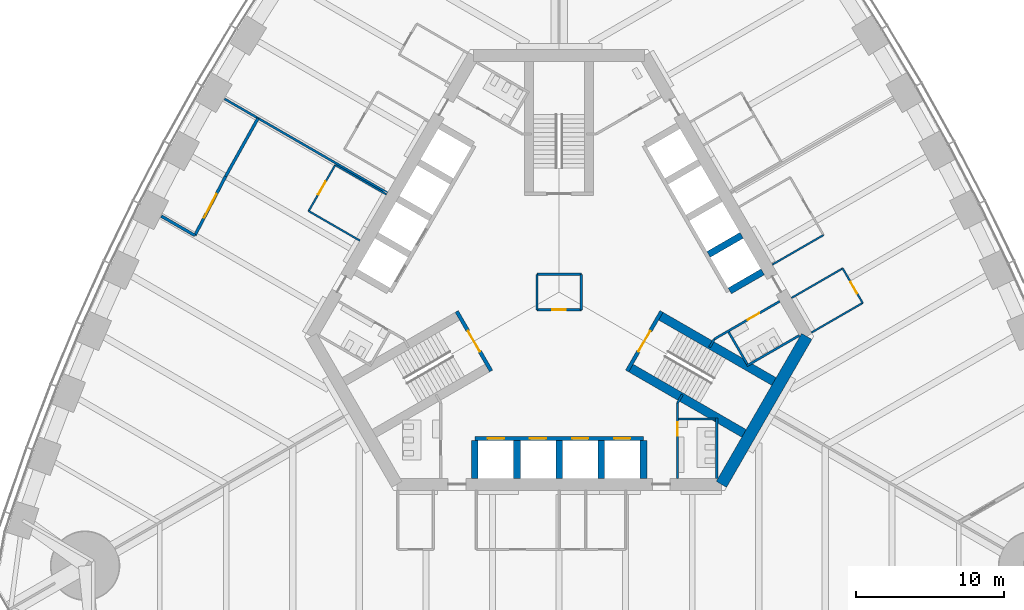
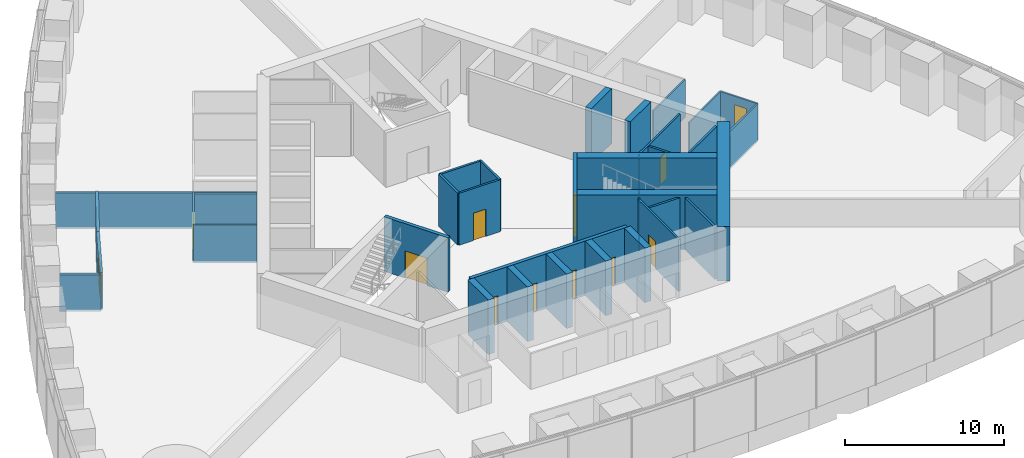
# One storey, part 11 of 18: 36 walls, 12 doors, 12 openings.
"""IFC4 building model written with IfcOpenShell, lengths in metres."""

from ifc_helpers import new_model, si_unit, direction, frame, frame_2d, origin, place, context, subcontext, project, spatial, rectangle, extrude, material, layer, layer_set, type_object, element, fill, save


model = new_model("IFC4")

# Units and contexts
model_context = context("Model", 3, precision=1e-05, world=origin(), true_north=direction((0.0, 1.0)))
body_context = subcontext(model_context, "Body", "Model", "MODEL_VIEW")
ifc_project = project(units=[si_unit("LENGTHUNIT", "METRE"), si_unit("AREAUNIT", "SQUARE_METRE"), si_unit("VOLUMEUNIT", "CUBIC_METRE"), si_unit("PLANEANGLEUNIT", "RADIAN"), si_unit("MASSUNIT", "GRAM", prefix="KILO")], contexts=[model_context])

# Site, building, storey
site_placement = place(None, origin())
site = spatial("IfcSite", under=ifc_project, at=site_placement, CompositionType="ELEMENT")
building_placement = place(site_placement, origin())
building = spatial("IfcBuilding", under=site, at=building_placement, Name="Trefoil Bronze Tower", CompositionType="ELEMENT")
storey_placement = place(building_placement, frame((0.0, 0.0, 71.10009765625)))
storey = spatial("IfcBuildingStorey", under=building, at=storey_placement, Name="L16", CompositionType="ELEMENT", Elevation=71.10009765625)

# Wall
ifc_material_1 = material(Name="Gypsum board on steel studs", Category="steel")
ifc_layer_1 = layer(ifc_material_1, 0.199951171875)
ifc_layer_set_1 = layer_set([ifc_layer_1], Name="Acoustic partition 200")
wall_type_1 = type_object("IfcWallType", Name="Acoustic partition 200", PredefinedType="PARTITIONING", material=ifc_layer_set_1)
wall_1_placement = place(storey_placement, frame((-20.3505859375, 11.749267578125, 0.0), z_axis=(0.0, 0.0, 1.0), x_axis=(-0.487373854787, -0.873193406795, 0.0)))
element("IfcWall", 1, at=wall_1_placement, inside=storey, type_object=wall_type_1, Name="Partition F3 L16", PredefinedType="PARTITIONING", context=body_context, shape_type="SweptSolid", body=[
    extrude(rectangle(XDim=4.500244140625, YDim=0.199951171875, at=frame_2d((2.25, 0.0))), origin(), (0.0, 0.0, 1.0), 2.89990234375),
])

# Wall, opening, door
wall_2_placement = place(storey_placement, frame((-22.5439453125, 7.819580078125, 0.0), z_axis=(0.0, 0.0, 1.0), x_axis=(-0.461810056307, -0.886978845235, 0.0)))
wall_2 = element("IfcWall", 2, at=wall_2_placement, inside=storey, type_object=wall_type_1, Name="Partition F3 L16", PredefinedType="PARTITIONING", context=body_context, shape_type="SweptSolid", body=[
    extrude(rectangle(XDim=4.504150390625, YDim=0.199951171875, at=frame_2d((2.251953125, 0.0))), origin(), (0.0, 0.0, 1.0), 2.89990234375),
])
opening_1_placement = place(wall_2_placement, frame((1.35009765625, 0.0, 0.14990234375)))
opening_1 = element("IfcOpeningElement", 3, at=opening_1_placement, cuts=wall_2, Name="Opening D10", PredefinedType="OPENING", context=body_context, shape_type="SweptSolid", body=[
    extrude(rectangle(XDim=1.800048828125, YDim=2.10009765625, at=frame_2d((0.89990234375, 1.050048828125))), frame((0.0, 0.10986328125, 0.0), z_axis=(0.0, -1.0, 0.0), x_axis=(1.0, 0.0, 0.0)), (0.0, 0.0, 1.0), 0.219970703125),
])
ifc_material_2 = material(Name="Timber door", Category="wood")
door_type_1 = type_object("IfcDoorType", Name="Double door 1800", OperationType="DOUBLE_DOOR_SINGLE_SWING", PredefinedType="DOOR", material=ifc_material_2)
door_1_placement = place(opening_1_placement, frame((1.800048828125, 0.0, 0.0), z_axis=(0.0, 0.0, 1.0), x_axis=(-1.0, 0.0, 0.0)))
door_1 = element("IfcDoor", 4, at=door_1_placement, inside=storey, type_object=door_type_1, Name="Training room door F3 L16", OperationType="DOUBLE_DOOR_SINGLE_SWING", OverallHeight=2.10009765625, OverallWidth=1.800048828125, PredefinedType="DOOR", context=body_context, shape_type="SweptSolid", body=[
    extrude(rectangle(XDim=1.800048828125, YDim=2.10009765625, at=frame_2d((0.89990234375, 1.050048828125))), frame((0.0, 0.02490234375, 0.0), z_axis=(0.0, -1.0, 0.0), x_axis=(1.0, 0.0, 0.0)), (0.0, 0.0, 1.0), 0.050048828125),
])
fill(opening_1, door_1)

# Walls
wall_3_placement = place(storey_placement, frame((-24.6240234375, 3.824462890625, 0.0), z_axis=(0.0, 0.0, 1.0), x_axis=(-0.866053563643, 0.499951222523, 0.0)))
element("IfcWall", 5, at=wall_3_placement, inside=storey, type_object=wall_type_1, Name="Partition F3 L16", PredefinedType="PARTITIONING", context=body_context, shape_type="SweptSolid", body=[
    extrude(rectangle(XDim=2.617431640625, YDim=0.199951171875, at=frame_2d((1.30859375, 0.0))), origin(), (0.0, 0.0, 1.0), 2.7998046875),
])
ifc_material_3 = material(Name="Concrete B80", Category="concrete")
ifc_layer_2 = layer(ifc_material_3, 0.800048828125)
ifc_layer_set_2 = layer_set([ifc_layer_2], Name="Core wall 800")
wall_type_2 = type_object("IfcWallType", Name="Core wall 800", PredefinedType="SHEAR", material=ifc_layer_set_2)
wall_4_placement = place(storey_placement, frame((10.9697265625, -13.0, 0.0), z_axis=(0.0, 0.0, 1.0), x_axis=(0.499995765644, 0.866027848477, 0.0)))
element("IfcWall", 6, at=wall_4_placement, inside=storey, type_object=wall_type_2, Name="Core short wall 1 L16", PredefinedType="SHEAR", context=body_context, shape_type="SweptSolid", body=[
    extrude(rectangle(XDim=11.546875, YDim=0.800048828125, at=frame_2d((5.7734375, 0.0))), origin(), (0.0, 0.0, 1.0), 4.199951171875),
])

# Wall, opening, door
ifc_material_4 = material(Name="Glazed partition", Category="glass")
ifc_layer_3 = layer(ifc_material_4, 0.1201171875)
ifc_layer_set_3 = layer_set([ifc_layer_3], Name="Glazed partition 120")
wall_type_3 = type_object("IfcWallType", Name="Glazed partition 120", PredefinedType="PARTITIONING", material=ifc_layer_set_3)
wall_5_placement = place(storey_placement, frame((20.518798828125, -0.73974609375, 0.0), z_axis=(0.0, 0.0, 1.0), x_axis=(-0.4999416173, 0.866059108428, 0.0)))
wall_5 = element("IfcWall", 7, at=wall_5_placement, inside=storey, type_object=wall_type_3, Name="Partition F2 L16", PredefinedType="PARTITIONING", context=body_context, shape_type="SweptSolid", body=[
    extrude(rectangle(XDim=2.699951171875, YDim=0.1201171875, at=frame_2d((1.35009765625, 0.0))), origin(), (0.0, 0.0, 1.0), 2.89990234375),
])
opening_2_placement = place(wall_5_placement, frame((0.75, 0.0, 0.14990234375)))
opening_2 = element("IfcOpeningElement", 8, at=opening_2_placement, cuts=wall_5, Name="Opening D8", PredefinedType="OPENING", context=body_context, shape_type="SweptSolid", body=[
    extrude(rectangle(XDim=0.89990234375, YDim=2.10009765625, at=frame_2d((0.449951171875, 1.050048828125))), frame((0.0, 0.070068359375, 0.0), z_axis=(0.0, -1.0, 0.0), x_axis=(1.0, 0.0, 0.0)), (0.0, 0.0, 1.0), 0.14013671875),
])
ifc_material_5 = material(Name="Timber door", Category="wood")
door_type_2 = type_object("IfcDoorType", Name="Office door 900", OperationType="SINGLE_SWING_LEFT", PredefinedType="DOOR", material=ifc_material_5)
door_2_placement = place(opening_2_placement, origin())
door_2 = element("IfcDoor", 9, at=door_2_placement, inside=storey, type_object=door_type_2, Name="Pantry door F2 L16", OperationType="SINGLE_SWING_LEFT", OverallHeight=2.10009765625, OverallWidth=0.89990234375, PredefinedType="DOOR", context=body_context, shape_type="SweptSolid", body=[
    extrude(rectangle(XDim=0.89990234375, YDim=2.10009765625, at=frame_2d((0.449951171875, 1.050048828125))), frame((0.0, 0.02490234375, 0.0), z_axis=(0.0, -1.0, 0.0), x_axis=(1.0, 0.0, 0.0)), (0.0, 0.0, 1.0), 0.050048828125),
])
fill(opening_2, door_2)

# Walls
for number, where, z_axis, x_axis, name in (
    (10, (17.0546875, -2.73974609375, 0.0), (0.0, 0.0, 1.0), (0.866026010844, 0.49999894854, 0.0), "Partition F2 L16"),
    (11, (14.40478515625, 1.850341796875, 0.0), (0.0, 0.0, 1.0), (0.866026010844, 0.49999894854, 0.0), "Partition F2 L16"),
    (12, (15.704833984375, -0.4013671875, 0.0), (0.0, 0.0, 1.0), (0.866026010844, 0.49999894854, 0.0), "Partition F2 L16"),
):
    element("IfcWall", number, at=place(storey_placement, frame(where, z_axis=z_axis, x_axis=x_axis)), inside=storey, type_object=wall_type_3, Name=name, PredefinedType="PARTITIONING", context=body_context, shape_type="SweptSolid", body=[
        extrude(rectangle(XDim=4.0, YDim=0.1201171875, at=frame_2d((2.0, 0.0))), origin(), (0.0, 0.0, 1.0), 2.89990234375),
    ])

# Wall, opening, door
wall_6_placement = place(storey_placement, frame((-15.13134765625, 8.591796875, 0.0), z_axis=(0.0, 0.0, 1.0), x_axis=(-0.500012057535, -0.866018442252, 0.0)))
wall_6 = element("IfcWall", 13, at=wall_6_placement, inside=storey, type_object=wall_type_3, Name="Partition F3 L16", PredefinedType="PARTITIONING", context=body_context, shape_type="SweptSolid", body=[
    extrude(rectangle(XDim=3.60009765625, YDim=0.1201171875, at=frame_2d((1.800048828125, 0.0))), origin(), (0.0, 0.0, 1.0), 2.89990234375),
])
opening_3_placement = place(wall_6_placement, frame((1.300048828125, 0.0, 0.14990234375)))
opening_3 = element("IfcOpeningElement", 14, at=opening_3_placement, cuts=wall_6, Name="Opening D9", PredefinedType="OPENING", context=body_context, shape_type="SweptSolid", body=[
    extrude(rectangle(XDim=1.0, YDim=2.10009765625, at=frame_2d((0.5, 1.050048828125))), frame((0.0, 0.070068359375, 0.0), z_axis=(0.0, -1.0, 0.0), x_axis=(1.0, 0.0, 0.0)), (0.0, 0.0, 1.0), 0.14013671875),
])
ifc_material_6 = material(Name="Glazed timber door", Category="wood")
door_type_3 = type_object("IfcDoorType", Name="Meeting room door 1000", OperationType="SINGLE_SWING_LEFT", PredefinedType="DOOR", material=ifc_material_6)
door_3_placement = place(opening_3_placement, origin())
door_3 = element("IfcDoor", 15, at=door_3_placement, inside=storey, type_object=door_type_3, Name="Meeting room door F3 L16", OperationType="SINGLE_SWING_LEFT", OverallHeight=2.10009765625, OverallWidth=1.0, PredefinedType="DOOR", context=body_context, shape_type="SweptSolid", body=[
    extrude(rectangle(XDim=1.0, YDim=2.10009765625, at=frame_2d((0.5, 1.050048828125))), frame((0.0, 0.02490234375, 0.0), z_axis=(0.0, -1.0, 0.0), x_axis=(1.0, 0.0, 0.0)), (0.0, 0.0, 1.0), 0.050048828125),
])
fill(opening_3, door_3)

# Walls
wall_7_placement = place(storey_placement, frame((-11.667236328125, 6.591796875, 0.0), z_axis=(0.0, 0.0, 1.0), x_axis=(-0.866026010844, 0.49999894854, 0.0)))
element("IfcWall", 16, at=wall_7_placement, inside=storey, type_object=wall_type_3, Name="Partition F3 L16", PredefinedType="PARTITIONING", context=body_context, shape_type="SweptSolid", body=[
    extrude(rectangle(XDim=4.0, YDim=0.1201171875, at=frame_2d((2.0, 0.0))), origin(), (0.0, 0.0, 1.0), 2.7998046875),
])
wall_8_placement = place(storey_placement, frame((-13.46728515625, 3.47412109375, 0.0), z_axis=(0.0, 0.0, 1.0), x_axis=(-0.866026010844, 0.49999894854, 0.0)))
element("IfcWall", 17, at=wall_8_placement, inside=storey, type_object=wall_type_3, Name="Partition F3 L16", PredefinedType="PARTITIONING", context=body_context, shape_type="SweptSolid", body=[
    extrude(rectangle(XDim=4.0, YDim=0.1201171875, at=frame_2d((2.0, 0.0))), origin(), (0.0, 0.0, 1.0), 2.89990234375),
])
ifc_material_7 = material(Name="Concrete B80", Category="concrete")
ifc_layer_4 = layer(ifc_material_7, 0.449951171875)
ifc_layer_set_4 = layer_set([ifc_layer_4], Name="Outrigger shaft wall 450")
wall_type_4 = type_object("IfcWallType", Name="Outrigger shaft wall 450", PredefinedType="SHEAR", material=ifc_layer_set_4)
for number, where, z_axis, x_axis, name in (
    (18, (-5.699951171875, -10.02490234375, 0.0), (0.0, 0.0, 1.0), (0.0, -1.0, 0.0), "Lift shaft side wall A0 L16"),
    (19, (-2.85009765625, -10.02490234375, 0.0), (0.0, 0.0, 1.0), (0.0, -1.0, 0.0), "Lift shaft side wall A1 L16"),
    (20, (0.0, -10.02490234375, 0.0), (0.0, 0.0, 1.0), (0.0, -1.0, 0.0), "Lift shaft side wall A2 L16"),
    (21, (2.85009765625, -10.02490234375, 0.0), (0.0, 0.0, 1.0), (0.0, -1.0, 0.0), "Lift shaft side wall A3 L16"),
    (22, (5.699951171875, -10.02490234375, 0.0), (0.0, 0.0, 1.0), (0.0, -1.0, 0.0), "Lift shaft side wall A4 L16"),
):
    element("IfcWall", number, at=place(storey_placement, frame(where, z_axis=z_axis, x_axis=x_axis)), inside=storey, type_object=wall_type_4, Name=name, PredefinedType="SHEAR", context=body_context, shape_type="SweptSolid", body=[
        extrude(rectangle(XDim=2.5751953125, YDim=0.449951171875, at=frame_2d((1.28759765625, 0.0))), origin(), (0.0, 0.0, 1.0), 4.199951171875),
    ])
for number, where, z_axis, x_axis, name in (
    (23, (11.531982421875, 0.076171875, 0.0), (0.0, 0.0, 1.0), (0.866005588531, 0.500034319456, 0.0), "Lift shaft side wall B0 L16"),
    (24, (10.10693359375, 2.54443359375, 0.0), (0.0, 0.0, 1.0), (0.866046643894, 0.499963209246, 0.0), "Lift shaft side wall B1 L16"),
):
    element("IfcWall", number, at=place(storey_placement, frame(where, z_axis=z_axis, x_axis=x_axis)), inside=storey, type_object=wall_type_4, Name=name, PredefinedType="SHEAR", context=body_context, shape_type="SweptSolid", body=[
        extrude(rectangle(XDim=2.574951171875, YDim=0.449951171875, at=frame_2d((1.28759765625, 0.0))), origin(), (0.0, 0.0, 1.0), 4.199951171875),
    ])

# Wall, opening, door
ifc_material_8 = material(Name="Gypsum board on steel studs", Category="steel")
ifc_layer_5 = layer(ifc_material_8, 0.14990234375)
ifc_layer_set_5 = layer_set([ifc_layer_5], Name="Partition 150")
wall_type_5 = type_object("IfcWallType", Name="Partition 150", PredefinedType="PARTITIONING", material=ifc_layer_set_5)
wall_9_placement = place(storey_placement, frame((8.0, -7.5, 0.0), z_axis=(0.0, 0.0, 1.0), x_axis=(0.0, -1.0, 0.0)))
wall_9 = element("IfcWall", 25, at=wall_9_placement, inside=storey, type_object=wall_type_5, Name="Passage wall F1+ L16", PredefinedType="PARTITIONING", context=body_context, shape_type="SweptSolid", body=[
    extrude(rectangle(XDim=5.10009765625, YDim=0.14990234375, at=frame_2d((2.550048828125, 0.0))), origin(), (0.0, 0.0, 1.0), 4.0),
])
opening_4_placement = place(wall_9_placement, frame((1.300048828125, 0.0, 0.0)))
opening_4 = element("IfcOpeningElement", 26, at=opening_4_placement, cuts=wall_9, Name="Opening D3", PredefinedType="OPENING", context=body_context, shape_type="SweptSolid", body=[
    extrude(rectangle(XDim=0.89990234375, YDim=2.10009765625, at=frame_2d((0.449951171875, 1.050048828125))), frame((0.0, 0.0849609375, 0.0), z_axis=(0.0, -1.0, 0.0), x_axis=(1.0, 0.0, 0.0)), (0.0, 0.0, 1.0), 0.169921875),
])
ifc_material_9 = material(Name="Timber door", Category="wood")
door_type_4 = type_object("IfcDoorType", Name="WC door 900", OperationType="SINGLE_SWING_LEFT", PredefinedType="DOOR", material=ifc_material_9)
door_4_placement = place(opening_4_placement, origin())
door_4 = element("IfcDoor", 27, at=door_4_placement, inside=storey, type_object=door_type_4, Name="WC (men) door L16", OperationType="SINGLE_SWING_LEFT", OverallHeight=2.10009765625, OverallWidth=0.89990234375, PredefinedType="DOOR", context=body_context, shape_type="SweptSolid", body=[
    extrude(rectangle(XDim=0.89990234375, YDim=2.10009765625, at=frame_2d((0.449951171875, 1.050048828125))), frame((0.0, 0.02490234375, 0.0), z_axis=(0.0, -1.0, 0.0), x_axis=(1.0, 0.0, 0.0)), (0.0, 0.0, 1.0), 0.050048828125),
])
fill(opening_4, door_4)

wall_10_placement = place(storey_placement, frame((10.4951171875, -3.17822265625, 0.0), z_axis=(0.0, 0.0, 1.0), x_axis=(0.86602216432, 0.500005610874, 0.0)))
wall_10 = element("IfcWall", 28, at=wall_10_placement, inside=storey, type_object=wall_type_5, Name="Passage wall F2- L16", PredefinedType="PARTITIONING", context=body_context, shape_type="SweptSolid", body=[
    extrude(rectangle(XDim=5.10009765625, YDim=0.14990234375, at=frame_2d((2.550048828125, 0.0))), origin(), (0.0, 0.0, 1.0), 4.0),
])
opening_5_placement = place(wall_10_placement, frame((2.60009765625, 0.0, 0.0)))
opening_5 = element("IfcOpeningElement", 29, at=opening_5_placement, cuts=wall_10, Name="Opening D3", PredefinedType="OPENING", context=body_context, shape_type="SweptSolid", body=[
    extrude(rectangle(XDim=0.89990234375, YDim=2.10009765625, at=frame_2d((0.449951171875, 1.050048828125))), frame((0.0, 0.0849609375, 0.0), z_axis=(0.0, -1.0, 0.0), x_axis=(1.0, 0.0, 0.0)), (0.0, 0.0, 1.0), 0.169921875),
])
door_5_placement = place(opening_5_placement, frame((0.89990234375, 0.0, 0.0), z_axis=(0.0, 0.0, 1.0), x_axis=(-1.0, 0.0, 0.0)))
door_5 = element("IfcDoor", 30, at=door_5_placement, inside=storey, type_object=door_type_4, Name="WC (women) door L16", OperationType="SINGLE_SWING_RIGHT", OverallHeight=2.10009765625, OverallWidth=0.89990234375, PredefinedType="DOOR", context=body_context, shape_type="SweptSolid", body=[
    extrude(rectangle(XDim=0.89990234375, YDim=2.10009765625, at=frame_2d((0.449951171875, 1.050048828125))), frame((0.0, 0.02490234375, 0.0), z_axis=(0.0, -1.0, 0.0), x_axis=(1.0, 0.0, 0.0)), (0.0, 0.0, 1.0), 0.050048828125),
])
fill(opening_5, door_5)

# Walls
for number, where, z_axis, x_axis, name in (
    (31, (8.0, -7.5, 0.0), (0.0, 0.0, 1.0), (0.499842556608, 0.866116284689, 0.0), "WC wall ST1-1 L16"),
    (32, (10.4951171875, -3.17822265625, 0.0), (0.0, 0.0, 1.0), (-0.499842556608, -0.866116284689, 0.0), "WC wall ST1+1 L16"),
):
    element("IfcWall", number, at=place(storey_placement, frame(where, z_axis=z_axis, x_axis=x_axis)), inside=storey, type_object=wall_type_5, Name=name, PredefinedType="PARTITIONING", context=body_context, shape_type="SweptSolid", body=[
        extrude(rectangle(XDim=0.645263671875, YDim=0.14990234375, at=frame_2d((0.32275390625, 0.0))), origin(), (0.0, 0.0, 1.0), 4.0),
    ])
wall_11_placement = place(storey_placement, frame((10.659912109375, -8.5, 0.0), z_axis=(0.0, 0.0, 1.0), x_axis=(0.0, -1.0, 0.0)))
element("IfcWall", 33, at=wall_11_placement, inside=storey, type_object=wall_type_5, Name="WC partition WC (men) L16", PredefinedType="PARTITIONING", context=body_context, shape_type="SweptSolid", body=[
    extrude(rectangle(XDim=4.10009765625, YDim=0.14990234375, at=frame_2d((2.050048828125, 0.0))), origin(), (0.0, 0.0, 1.0), 4.0),
])
wall_12_placement = place(storey_placement, frame((8.074951171875, -8.574951171875, 0.0), z_axis=(0.0, 0.0, 1.0), x_axis=(1.0, 0.0, 0.0)))
element("IfcWall", 34, at=wall_12_placement, inside=storey, type_object=wall_type_5, Name="WC partition WC (men) L16", PredefinedType="PARTITIONING", context=body_context, shape_type="SweptSolid", body=[
    extrude(rectangle(XDim=2.510009765625, YDim=0.14990234375, at=frame_2d((1.2548828125, 0.0))), origin(), (0.0, 0.0, 1.0), 4.0),
])
wall_13_placement = place(storey_placement, frame((12.691162109375, -4.98193359375, 0.0), z_axis=(0.0, 0.0, 1.0), x_axis=(0.8660249478, 0.500000789788, 0.0)))
element("IfcWall", 35, at=wall_13_placement, inside=storey, type_object=wall_type_5, Name="WC partition WC (women) L16", PredefinedType="PARTITIONING", context=body_context, shape_type="SweptSolid", body=[
    extrude(rectangle(XDim=4.10009765625, YDim=0.14990234375, at=frame_2d((2.050048828125, 0.0))), origin(), (0.0, 0.0, 1.0), 4.0),
])
wall_14_placement = place(storey_placement, frame((11.463623046875, -2.70556640625, 0.0), z_axis=(0.0, 0.0, 1.0), x_axis=(0.50001992892, -0.866013897511, 0.0)))
element("IfcWall", 36, at=wall_14_placement, inside=storey, type_object=wall_type_5, Name="WC partition WC (women) L16", PredefinedType="PARTITIONING", context=body_context, shape_type="SweptSolid", body=[
    extrude(rectangle(XDim=2.51025390625, YDim=0.14990234375, at=frame_2d((1.255126953125, 0.0))), origin(), (0.0, 0.0, 1.0), 4.0),
])
ifc_material_10 = material(Name="Gypsum board on steel studs", Category="steel")
ifc_layer_6 = layer(ifc_material_10, 0.14990234375)
ifc_layer_set_6 = layer_set([ifc_layer_6], Name="Party wall 150")
wall_type_6 = type_object("IfcWallType", Name="Party wall 150", PredefinedType="PARTITIONING", material=ifc_layer_set_6)
wall_15_placement = place(storey_placement, frame((-11.61328125, 6.705078125, 0.0), z_axis=(0.0, 0.0, 1.0), x_axis=(-0.866029791586, 0.499992400027, 0.0)))
element("IfcWall", 37, at=wall_15_placement, inside=storey, type_object=wall_type_6, Name="Demising wall F3 L16", PredefinedType="PARTITIONING", context=body_context, shape_type="SweptSolid", body=[
    extrude(rectangle(XDim=12.708740234375, YDim=0.14990234375, at=frame_2d((6.3544921875, 0.0))), origin(), (0.0, 0.0, 1.0), 2.7998046875),
])

# Wall, opening, door
ifc_material_11 = material(Name="Gypsum board on steel studs", Category="steel")
ifc_layer_7 = layer(ifc_material_11, 0.14990234375)
ifc_layer_set_7 = layer_set([ifc_layer_7], Name="Riser wall 150")
wall_type_7 = type_object("IfcWallType", Name="Riser wall 150", PredefinedType="PARTITIONING", material=ifc_layer_set_7)
wall_16_placement = place(storey_placement, frame((-1.5, -1.199951171875, 0.0), z_axis=(0.0, 0.0, 1.0), x_axis=(1.0, 0.0, 0.0)))
wall_16 = element("IfcWall", 38, at=wall_16_placement, inside=storey, type_object=wall_type_7, Name="Riser wall L16", PredefinedType="PARTITIONING", context=body_context, shape_type="SweptSolid", body=[
    extrude(rectangle(XDim=3.0, YDim=0.14990234375, at=frame_2d((1.5, 0.0))), origin(), (0.0, 0.0, 1.0), 4.0),
])
opening_6_placement = place(wall_16_placement, frame((1.050048828125, 0.0, 0.0)))
opening_6 = element("IfcOpeningElement", 39, at=opening_6_placement, cuts=wall_16, Name="Opening D4", PredefinedType="OPENING", context=body_context, shape_type="SweptSolid", body=[
    extrude(rectangle(XDim=0.89990234375, YDim=2.10009765625, at=frame_2d((0.449951171875, 1.050048828125))), frame((0.0, 0.0849609375, 0.0), z_axis=(0.0, -1.0, 0.0), x_axis=(1.0, 0.0, 0.0)), (0.0, 0.0, 1.0), 0.169921875),
])
ifc_material_12 = material(Name="Steel door", Category="steel")
door_type_5 = type_object("IfcDoorType", Name="Riser door 900", OperationType="SINGLE_SWING_LEFT", PredefinedType="DOOR", material=ifc_material_12)
door_6_placement = place(opening_6_placement, frame((0.89990234375, 0.0, 0.0), z_axis=(0.0, 0.0, 1.0), x_axis=(-1.0, 0.0, 0.0)))
door_6 = element("IfcDoor", 40, at=door_6_placement, inside=storey, type_object=door_type_5, Name="Riser door L16", OperationType="SINGLE_SWING_LEFT", OverallHeight=2.10009765625, OverallWidth=0.89990234375, PredefinedType="DOOR", context=body_context, shape_type="SweptSolid", body=[
    extrude(rectangle(XDim=0.89990234375, YDim=2.10009765625, at=frame_2d((0.449951171875, 1.050048828125))), frame((0.0, 0.02490234375, 0.0), z_axis=(0.0, -1.0, 0.0), x_axis=(1.0, 0.0, 0.0)), (0.0, 0.0, 1.0), 0.050048828125),
])
fill(opening_6, door_6)

# Walls
wall_17_placement = place(storey_placement, frame((1.5, -1.199951171875, 0.0), z_axis=(0.0, 0.0, 1.0), x_axis=(0.0, 1.0, 0.0)))
element("IfcWall", 41, at=wall_17_placement, inside=storey, type_object=wall_type_7, Name="Riser wall L16", PredefinedType="PARTITIONING", context=body_context, shape_type="SweptSolid", body=[
    extrude(rectangle(XDim=2.39990234375, YDim=0.14990234375, at=frame_2d((1.199951171875, 0.0))), origin(), (0.0, 0.0, 1.0), 4.0),
])
wall_18_placement = place(storey_placement, frame((1.5, 1.199951171875, 0.0), z_axis=(0.0, 0.0, 1.0), x_axis=(-1.0, 0.0, 0.0)))
element("IfcWall", 42, at=wall_18_placement, inside=storey, type_object=wall_type_7, Name="Riser wall L16", PredefinedType="PARTITIONING", context=body_context, shape_type="SweptSolid", body=[
    extrude(rectangle(XDim=3.0, YDim=0.14990234375, at=frame_2d((1.5, 0.0))), origin(), (0.0, 0.0, 1.0), 4.0),
])
wall_19_placement = place(storey_placement, frame((-1.5, 1.199951171875, 0.0), z_axis=(0.0, 0.0, 1.0), x_axis=(0.0, -1.0, 0.0)))
element("IfcWall", 43, at=wall_19_placement, inside=storey, type_object=wall_type_7, Name="Riser wall L16", PredefinedType="PARTITIONING", context=body_context, shape_type="SweptSolid", body=[
    extrude(rectangle(XDim=2.39990234375, YDim=0.14990234375, at=frame_2d((1.199951171875, 0.0))), origin(), (0.0, 0.0, 1.0), 4.0),
])

# Wall, openings, doors
ifc_material_13 = material(Name="Concrete B80", Category="concrete")
ifc_layer_8 = layer(ifc_material_13, 0.25)
ifc_layer_set_8 = layer_set([ifc_layer_8], Name="Shaft wall 250")
wall_type_8 = type_object("IfcWallType", Name="Shaft wall 250", PredefinedType="SHEAR", material=ifc_layer_set_8)
wall_20_placement = place(storey_placement, frame((-5.699951171875, -9.89990234375, 0.0), z_axis=(0.0, 0.0, 1.0), x_axis=(1.0, 0.0, 0.0)))
wall_20 = element("IfcWall", 44, at=wall_20_placement, inside=storey, type_object=wall_type_8, Name="Lift shaft front wall A L16", PredefinedType="SHEAR", context=body_context, shape_type="SweptSolid", body=[
    extrude(rectangle(XDim=11.39990234375, YDim=0.25, at=frame_2d((5.699951171875, 0.0))), origin(), (0.0, 0.0, 1.0), 4.199951171875),
])
opening_7_placement = place(wall_20_placement, frame((0.875, 0.0, 0.0)))
opening_7 = element("IfcOpeningElement", 45, at=opening_7_placement, cuts=wall_20, Name="Opening LD-P11", PredefinedType="OPENING", context=body_context, shape_type="SweptSolid", body=[
    extrude(rectangle(XDim=1.10009765625, YDim=2.199951171875, at=frame_2d((0.550048828125, 1.10009765625))), frame((0.0, 0.135009765625, 0.0), z_axis=(0.0, -1.0, 0.0), x_axis=(1.0, 0.0, 0.0)), (0.0, 0.0, 1.0), 0.27001953125),
])
opening_8_placement = place(wall_20_placement, frame((3.72509765625, 0.0, 0.0)))
opening_8 = element("IfcOpeningElement", 46, at=opening_8_placement, cuts=wall_20, Name="Opening LD-P12", PredefinedType="OPENING", context=body_context, shape_type="SweptSolid", body=[
    extrude(rectangle(XDim=1.10009765625, YDim=2.199951171875, at=frame_2d((0.550048828125, 1.10009765625))), frame((0.0, 0.135009765625, 0.0), z_axis=(0.0, -1.0, 0.0), x_axis=(1.0, 0.0, 0.0)), (0.0, 0.0, 1.0), 0.27001953125),
])
opening_9_placement = place(wall_20_placement, frame((6.574951171875, 0.0, 0.0)))
opening_9 = element("IfcOpeningElement", 47, at=opening_9_placement, cuts=wall_20, Name="Opening LD-P13", PredefinedType="OPENING", context=body_context, shape_type="SweptSolid", body=[
    extrude(rectangle(XDim=1.10009765625, YDim=2.199951171875, at=frame_2d((0.550048828125, 1.10009765625))), frame((0.0, 0.135009765625, 0.0), z_axis=(0.0, -1.0, 0.0), x_axis=(1.0, 0.0, 0.0)), (0.0, 0.0, 1.0), 0.27001953125),
])
opening_10_placement = place(wall_20_placement, frame((9.425048828125, 0.0, 0.0)))
opening_10 = element("IfcOpeningElement", 48, at=opening_10_placement, cuts=wall_20, Name="Opening LD-P14", PredefinedType="OPENING", context=body_context, shape_type="SweptSolid", body=[
    extrude(rectangle(XDim=1.10009765625, YDim=2.199951171875, at=frame_2d((0.550048828125, 1.10009765625))), frame((0.0, 0.135009765625, 0.0), z_axis=(0.0, -1.0, 0.0), x_axis=(1.0, 0.0, 0.0)), (0.0, 0.0, 1.0), 0.27001953125),
])
ifc_material_14 = material(Name="Steel door", Category="steel")
door_type_6 = type_object("IfcDoorType", Name="Lift landing door 1100", OperationType="DOUBLE_DOOR_SLIDING", PredefinedType="DOOR", material=ifc_material_14)
door_7_placement = place(opening_7_placement, origin())
door_7 = element("IfcDoor", 49, at=door_7_placement, inside=storey, type_object=door_type_6, Name="Lift P11 landing door L16", OperationType="DOUBLE_DOOR_SLIDING", OverallHeight=2.199951171875, OverallWidth=1.10009765625, PredefinedType="DOOR", context=body_context, shape_type="SweptSolid", body=[
    extrude(rectangle(XDim=1.10009765625, YDim=2.199951171875, at=frame_2d((0.550048828125, 1.10009765625))), frame((0.0, 0.02490234375, 0.0), z_axis=(0.0, -1.0, 0.0), x_axis=(1.0, 0.0, 0.0)), (0.0, 0.0, 1.0), 0.050048828125),
])
fill(opening_7, door_7)
door_8_placement = place(opening_8_placement, origin())
door_8 = element("IfcDoor", 50, at=door_8_placement, inside=storey, type_object=door_type_6, Name="Lift P12 landing door L16", OperationType="DOUBLE_DOOR_SLIDING", OverallHeight=2.199951171875, OverallWidth=1.10009765625, PredefinedType="DOOR", context=body_context, shape_type="SweptSolid", body=[
    extrude(rectangle(XDim=1.10009765625, YDim=2.199951171875, at=frame_2d((0.550048828125, 1.10009765625))), frame((0.0, 0.02490234375, 0.0), z_axis=(0.0, -1.0, 0.0), x_axis=(1.0, 0.0, 0.0)), (0.0, 0.0, 1.0), 0.050048828125),
])
fill(opening_8, door_8)
door_9_placement = place(opening_9_placement, origin())
door_9 = element("IfcDoor", 51, at=door_9_placement, inside=storey, type_object=door_type_6, Name="Lift P13 landing door L16", OperationType="DOUBLE_DOOR_SLIDING", OverallHeight=2.199951171875, OverallWidth=1.10009765625, PredefinedType="DOOR", context=body_context, shape_type="SweptSolid", body=[
    extrude(rectangle(XDim=1.10009765625, YDim=2.199951171875, at=frame_2d((0.550048828125, 1.10009765625))), frame((0.0, 0.02490234375, 0.0), z_axis=(0.0, -1.0, 0.0), x_axis=(1.0, 0.0, 0.0)), (0.0, 0.0, 1.0), 0.050048828125),
])
fill(opening_9, door_9)
door_10_placement = place(opening_10_placement, origin())
door_10 = element("IfcDoor", 52, at=door_10_placement, inside=storey, type_object=door_type_6, Name="Lift P14 landing door L16", OperationType="DOUBLE_DOOR_SLIDING", OverallHeight=2.199951171875, OverallWidth=1.10009765625, PredefinedType="DOOR", context=body_context, shape_type="SweptSolid", body=[
    extrude(rectangle(XDim=1.10009765625, YDim=2.199951171875, at=frame_2d((0.550048828125, 1.10009765625))), frame((0.0, 0.02490234375, 0.0), z_axis=(0.0, -1.0, 0.0), x_axis=(1.0, 0.0, 0.0)), (0.0, 0.0, 1.0), 0.050048828125),
])
fill(opening_10, door_10)

# Wall, opening, door
wall_21_placement = place(storey_placement, frame((4.5966796875, -5.338623046875, 0.0), z_axis=(0.0, 0.0, 1.0), x_axis=(0.499984536904, 0.866034331223, 0.0)))
wall_21 = element("IfcWall", 53, at=wall_21_placement, inside=storey, type_object=wall_type_8, Name="Stair end wall ST1 L16", PredefinedType="SHEAR", context=body_context, shape_type="SweptSolid", body=[
    extrude(rectangle(XDim=4.650146484375, YDim=0.25, at=frame_2d((2.3251953125, 0.0))), origin(), (0.0, 0.0, 1.0), 4.199951171875),
])
opening_11_placement = place(wall_21_placement, frame((1.52490234375, 0.0, 0.0)))
opening_11 = element("IfcOpeningElement", 54, at=opening_11_placement, cuts=wall_21, Name="Opening D1", PredefinedType="OPENING", context=body_context, shape_type="SweptSolid", body=[
    extrude(rectangle(XDim=1.60009765625, YDim=2.10009765625, at=frame_2d((0.800048828125, 1.050048828125))), frame((0.0, 0.135009765625, 0.0), z_axis=(0.0, -1.0, 0.0), x_axis=(1.0, 0.0, 0.0)), (0.0, 0.0, 1.0), 0.27001953125),
])
ifc_material_15 = material(Name="Steel door", Category="steel")
door_type_7 = type_object("IfcDoorType", Name="Stair door 1600", OperationType="DOUBLE_DOOR_SINGLE_SWING", PredefinedType="DOOR", material=ifc_material_15)
door_11_placement = place(opening_11_placement, frame((1.60009765625, 0.0, 0.0), z_axis=(0.0, 0.0, 1.0), x_axis=(-1.0, 0.0, 0.0)))
door_11 = element("IfcDoor", 55, at=door_11_placement, inside=storey, type_object=door_type_7, Name="Stair door ST1 L16", OperationType="DOUBLE_DOOR_SINGLE_SWING", OverallHeight=2.10009765625, OverallWidth=1.60009765625, PredefinedType="DOOR", context=body_context, shape_type="SweptSolid", body=[
    extrude(rectangle(XDim=1.60009765625, YDim=2.10009765625, at=frame_2d((0.800048828125, 1.050048828125))), frame((0.0, 0.02490234375, 0.0), z_axis=(0.0, -1.0, 0.0), x_axis=(1.0, 0.0, 0.0)), (0.0, 0.0, 1.0), 0.050048828125),
])
fill(opening_11, door_11)

wall_22_placement = place(storey_placement, frame((-6.921630859375, -1.3115234375, 0.0), z_axis=(0.0, 0.0, 1.0), x_axis=(0.499984536904, -0.866034331223, 0.0)))
wall_22 = element("IfcWall", 56, at=wall_22_placement, inside=storey, type_object=wall_type_8, Name="Stair end wall ST3 L16", PredefinedType="SHEAR", context=body_context, shape_type="SweptSolid", body=[
    extrude(rectangle(XDim=4.650146484375, YDim=0.25, at=frame_2d((2.3251953125, 0.0))), origin(), (0.0, 0.0, 1.0), 4.199951171875),
])
opening_12_placement = place(wall_22_placement, frame((1.52490234375, 0.0, 0.0)))
opening_12 = element("IfcOpeningElement", 57, at=opening_12_placement, cuts=wall_22, Name="Opening D1", PredefinedType="OPENING", context=body_context, shape_type="SweptSolid", body=[
    extrude(rectangle(XDim=1.60009765625, YDim=2.10009765625, at=frame_2d((0.800048828125, 1.050048828125))), frame((0.0, 0.135009765625, 0.0), z_axis=(0.0, -1.0, 0.0), x_axis=(1.0, 0.0, 0.0)), (0.0, 0.0, 1.0), 0.27001953125),
])
door_12_placement = place(opening_12_placement, frame((1.60009765625, 0.0, 0.0), z_axis=(0.0, 0.0, 1.0), x_axis=(-1.0, 0.0, 0.0)))
door_12 = element("IfcDoor", 58, at=door_12_placement, inside=storey, type_object=door_type_7, Name="Stair door ST3 L16", OperationType="DOUBLE_DOOR_SINGLE_SWING", OverallHeight=2.10009765625, OverallWidth=1.60009765625, PredefinedType="DOOR", context=body_context, shape_type="SweptSolid", body=[
    extrude(rectangle(XDim=1.60009765625, YDim=2.10009765625, at=frame_2d((0.800048828125, 1.050048828125))), frame((0.0, 0.02490234375, 0.0), z_axis=(0.0, -1.0, 0.0), x_axis=(1.0, 0.0, 0.0)), (0.0, 0.0, 1.0), 0.050048828125),
])
fill(opening_12, door_12)

# Walls
ifc_material_16 = material(Name="Concrete B80", Category="concrete")
ifc_layer_9 = layer(ifc_material_16, 0.60009765625)
ifc_layer_set_9 = layer_set([ifc_layer_9], Name="Stair wall 600")
wall_type_9 = type_object("IfcWallType", Name="Stair wall 600", PredefinedType="SHEAR", material=ifc_layer_set_9)
for number, where, z_axis, x_axis, name in (
    (59, (4.638427734375, -5.01611328125, 0.0), (0.0, 0.0, 1.0), (0.866019375473, -0.500010441196, 0.0), "Stair wall ST1 L16"),
    (60, (6.663330078125, -1.5087890625, 0.0), (0.0, 0.0, 1.0), (0.866019375473, -0.500010441196, 0.0), "Stair wall ST1 L16"),
):
    element("IfcWall", number, at=place(storey_placement, frame(where, z_axis=z_axis, x_axis=x_axis)), inside=storey, type_object=wall_type_9, Name=name, PredefinedType="SHEAR", context=body_context, shape_type="SweptSolid", body=[
        extrude(rectangle(XDim=9.074951171875, YDim=0.60009765625, at=frame_2d((4.53759765625, 0.0))), origin(), (0.0, 0.0, 1.0), 4.199951171875),
    ])

save(model, "model.ifc")
